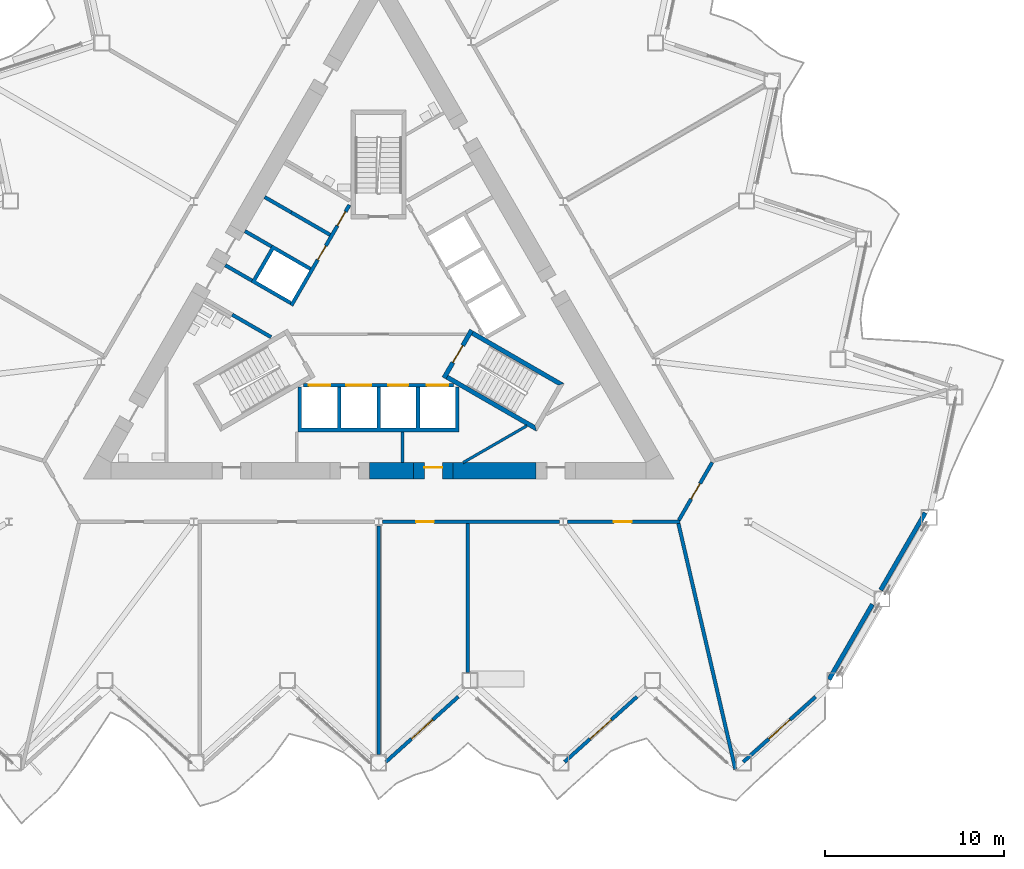
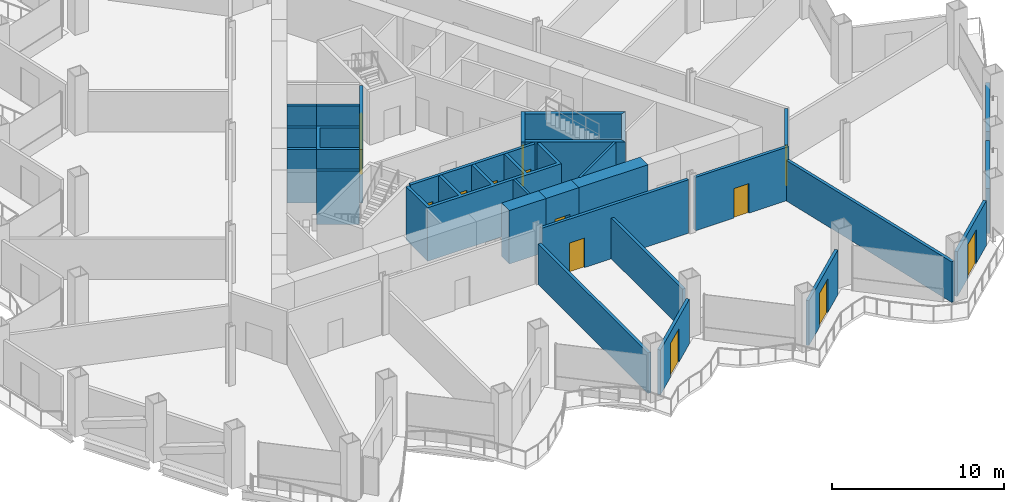
# One storey, part 11 of 21: 28 walls, 14 doors, 14 openings.
"""IFC4 building model written with IfcOpenShell, lengths in metres."""

from ifc_helpers import new_model, si_unit, direction, frame, frame_2d, origin, place, context, subcontext, project, spatial, polyline, rectangle, outline, extrude, material, layer, layer_set, type_object, element, fill, save


model = new_model("IFC4")

# Units and contexts
model_context = context("Model", 3, precision=1e-05, world=origin(), true_north=direction((0.0, 1.0)))
body_context = subcontext(model_context, "Body", "Model", "MODEL_VIEW")
ifc_project = project(units=[si_unit("LENGTHUNIT", "METRE"), si_unit("AREAUNIT", "SQUARE_METRE"), si_unit("VOLUMEUNIT", "CUBIC_METRE"), si_unit("PLANEANGLEUNIT", "RADIAN"), si_unit("MASSUNIT", "GRAM", prefix="KILO")], contexts=[model_context])

# Site, building, storey
site_placement = place(None, origin())
site = spatial("IfcSite", under=ifc_project, at=site_placement, CompositionType="ELEMENT")
building_placement = place(site_placement, origin())
building = spatial("IfcBuilding", under=site, at=building_placement, Name="Cormorant Prow Tower", CompositionType="ELEMENT")
storey_placement = place(building_placement, frame((0.0, 0.0, 108.0)))
storey = spatial("IfcBuildingStorey", under=building, at=storey_placement, Name="L22", CompositionType="ELEMENT", Elevation=108.0)

# Walls
ifc_material_1 = material(Name="Gypsum board partition")
ifc_layer_1 = layer(ifc_material_1, 0.14990234375)
ifc_layer_set_1 = layer_set([ifc_layer_1], Name="Gypsum board partition")
wall_type_1 = type_object("IfcWallType", Name="Core partition 150", PredefinedType="PARTITIONING", material=ifc_layer_set_1)
wall_1_placement = place(storey_placement, frame((1.33251953125, -8.626220703125, 0.0), z_axis=(0.0, 0.0, 1.0), x_axis=(0.0, 1.0, 0.0)))
element("IfcWall", 1, at=wall_1_placement, inside=storey, type_object=wall_type_1, Name="Service room partition", PredefinedType="PARTITIONING", context=body_context, shape_type="SweptSolid", body=[
    extrude(rectangle(XDim=1.72021484375, YDim=0.14990234375, at=frame_2d((0.860107421875, 0.0))), origin(), (0.0, 0.0, 1.0), 3.800048828125),
])
wall_2_placement = place(storey_placement, frame((8.284912109375, -6.566162109375, 0.0), z_axis=(0.0, 0.0, 1.0), x_axis=(-0.866039554287, -0.49997548981, 0.0)))
element("IfcWall", 2, at=wall_2_placement, inside=storey, type_object=wall_type_1, Name="Service room partition", PredefinedType="PARTITIONING", context=body_context, shape_type="SweptSolid", body=[
    extrude(rectangle(XDim=4.120361328125, YDim=0.14990234375, at=frame_2d((2.06005859375, 0.0))), origin(), (0.0, 0.0, 1.0), 3.800048828125),
])
ifc_material_2 = material(Name="Concrete 8000 psi", Category="concrete")
ifc_layer_2 = layer(ifc_material_2, 0.89990234375)
ifc_layer_set_2 = layer_set([ifc_layer_2], Name="Concrete 8000 psi")
wall_type_2 = type_object("IfcWallType", Name="Core shear wall 900", PredefinedType="SHEAR", material=ifc_layer_set_2)
wall_3_placement = place(storey_placement, frame((4.162109375, -9.076416015625, 0.0), z_axis=(0.0, 0.0, 1.0), x_axis=(1.0, 0.0, 0.0)))
element("IfcWall", 3, at=wall_3_placement, inside=storey, type_object=wall_type_2, Name="Core wall", PredefinedType="SHEAR", context=body_context, shape_type="SweptSolid", body=[
    extrude(rectangle(XDim=4.641845703125, YDim=0.89990234375, at=frame_2d((2.32080078125, 0.0))), origin(), (0.0, 0.0, 1.0), 3.800048828125),
])
wall_4_placement = place(storey_placement, frame((-0.521240234375, -9.076416015625, 0.0), z_axis=(0.0, 0.0, 1.0), x_axis=(1.0, 0.0, 0.0)))
element("IfcWall", 4, at=wall_4_placement, inside=storey, type_object=wall_type_2, Name="Core wall", PredefinedType="SHEAR", context=body_context, shape_type="SweptSolid", body=[
    extrude(rectangle(XDim=2.483154296875, YDim=0.89990234375, at=frame_2d((1.24169921875, 0.0))), origin(), (0.0, 0.0, 1.0), 3.800048828125),
])

# Wall, opening, door
wall_5_placement = place(storey_placement, frame((1.9619140625, -9.076416015625, 0.0), z_axis=(0.0, 0.0, 1.0), x_axis=(1.0, 0.0, 0.0)))
wall_5 = element("IfcWall", 5, at=wall_5_placement, inside=storey, type_object=wall_type_2, Name="Core wall door panel", PredefinedType="SHEAR", context=body_context, shape_type="SweptSolid", body=[
    extrude(rectangle(XDim=2.2001953125, YDim=0.89990234375, at=frame_2d((1.10009765625, 0.0))), origin(), (0.0, 0.0, 1.0), 3.800048828125),
])
opening_1_placement = place(wall_5_placement, frame((0.60009765625, 0.0, 0.0)))
opening_1 = element("IfcOpeningElement", 6, at=opening_1_placement, cuts=wall_5, Name="Opening L22-C17", PredefinedType="OPENING", context=body_context, shape_type="SweptSolid", body=[
    extrude(rectangle(XDim=1.0, YDim=2.10009765625, at=frame_2d((0.5, 1.050048828125))), frame((0.0, 0.4599609375, 0.0), z_axis=(0.0, -1.0, 0.0), x_axis=(1.0, 0.0, 0.0)), (0.0, 0.0, 1.0), 0.919921875),
])
ifc_material_3 = material(Name="Painted steel", Category="steel")
door_type_1 = type_object("IfcDoorType", Name="Service door 1000x2100", OperationType="NOTDEFINED", PredefinedType="DOOR", material=ifc_material_3)
door_1_placement = place(opening_1_placement, origin())
door_1 = element("IfcDoor", 7, at=door_1_placement, inside=storey, type_object=door_type_1, Name="Core door, Electrical room", OperationType="SINGLE_SWING_LEFT", OverallHeight=2.10009765625, OverallWidth=1.0, PredefinedType="DOOR", context=body_context, shape_type="SweptSolid", body=[
    extrude(rectangle(XDim=1.0, YDim=2.10009765625, at=frame_2d((0.5, 1.050048828125))), frame((0.0, 0.205078125, 0.0), z_axis=(0.0, -1.0, 0.0), x_axis=(1.0, 0.0, 0.0)), (0.0, 0.0, 1.0), 0.050048828125),
])
fill(opening_1, door_1)

ifc_material_4 = material(Name="Gypsum board corridor wall")
ifc_layer_3 = layer(ifc_material_4, 0.199951171875)
ifc_layer_set_3 = layer_set([ifc_layer_3], Name="Gypsum board corridor wall")
wall_type_3 = type_object("IfcWallType", Name="Corridor wall 200", PredefinedType="PARTITIONING", material=ifc_layer_set_3)
wall_6_placement = place(storey_placement, frame((0.227294921875, -11.92626953125, 0.0), z_axis=(0.0, 0.0, 1.0), x_axis=(1.0, 0.0, 0.0)))
wall_6 = element("IfcWall", 8, at=wall_6_placement, inside=storey, type_object=wall_type_3, Name="Corridor wall", PredefinedType="PARTITIONING", context=body_context, shape_type="SweptSolid", body=[
    extrude(rectangle(XDim=9.873779296875, YDim=0.199951171875, at=frame_2d((4.93701171875, 0.0))), origin(), (0.0, 0.0, 1.0), 3.800048828125),
])
opening_2_placement = place(wall_6_placement, frame((1.8642578125, 0.0, 0.0)))
opening_2 = element("IfcOpeningElement", 9, at=opening_2_placement, cuts=wall_6, Name="Opening L22-F03", PredefinedType="OPENING", context=body_context, shape_type="SweptSolid", body=[
    extrude(rectangle(XDim=1.0, YDim=2.10009765625, at=frame_2d((0.5, 1.050048828125))), frame((0.0, 0.10986328125, 0.0), z_axis=(0.0, -1.0, 0.0), x_axis=(1.0, 0.0, 0.0)), (0.0, 0.0, 1.0), 0.219970703125),
])
ifc_material_5 = material(Name="Timber door leaf", Category="wood")
door_type_2 = type_object("IfcDoorType", Name="Office door 1000x2100", OperationType="NOTDEFINED", PredefinedType="DOOR", material=ifc_material_5)
door_2_placement = place(opening_2_placement, origin())
door_2 = element("IfcDoor", 10, at=door_2_placement, inside=storey, type_object=door_type_2, Name="Private office door", OperationType="SINGLE_SWING_LEFT", OverallHeight=2.10009765625, OverallWidth=1.0, PredefinedType="DOOR", context=body_context, shape_type="SweptSolid", body=[
    extrude(rectangle(XDim=1.0, YDim=2.10009765625, at=frame_2d((0.5, 1.050048828125))), frame((0.0, 0.02490234375, 0.0), z_axis=(0.0, -1.0, 0.0), x_axis=(1.0, 0.0, 0.0)), (0.0, 0.0, 1.0), 0.050048828125),
])
fill(opening_2, door_2)

wall_7_placement = place(storey_placement, frame((10.555908203125, -11.92626953125, 0.0), z_axis=(0.0, 0.0, 1.0), x_axis=(1.0, 0.0, 0.0)))
wall_7 = element("IfcWall", 11, at=wall_7_placement, inside=storey, type_object=wall_type_3, Name="Corridor wall", PredefinedType="PARTITIONING", context=body_context, shape_type="SweptSolid", body=[
    extrude(rectangle(XDim=6.27490234375, YDim=0.199951171875, at=frame_2d((3.137451171875, 0.0))), origin(), (0.0, 0.0, 1.0), 3.800048828125),
])
opening_3_placement = place(wall_7_placement, frame((2.586669921875, 0.0, 0.0)))
opening_3 = element("IfcOpeningElement", 12, at=opening_3_placement, cuts=wall_7, Name="Opening L22-F04", PredefinedType="OPENING", context=body_context, shape_type="SweptSolid", body=[
    extrude(rectangle(XDim=1.0, YDim=2.10009765625, at=frame_2d((0.5, 1.050048828125))), frame((0.0, 0.10986328125, 0.0), z_axis=(0.0, -1.0, 0.0), x_axis=(1.0, 0.0, 0.0)), (0.0, 0.0, 1.0), 0.219970703125),
])
door_3_placement = place(opening_3_placement, origin())
door_3 = element("IfcDoor", 13, at=door_3_placement, inside=storey, type_object=door_type_2, Name="Tenant reception door", OperationType="SINGLE_SWING_RIGHT", OverallHeight=2.10009765625, OverallWidth=1.0, PredefinedType="DOOR", context=body_context, shape_type="SweptSolid", body=[
    extrude(rectangle(XDim=1.0, YDim=2.10009765625, at=frame_2d((0.5, 1.050048828125))), frame((0.0, 0.02490234375, 0.0), z_axis=(0.0, -1.0, 0.0), x_axis=(1.0, 0.0, 0.0)), (0.0, 0.0, 1.0), 0.050048828125),
])
fill(opening_3, door_3)

wall_8_placement = place(storey_placement, frame((16.781005859375, -11.839599609375, 0.0), z_axis=(0.0, 0.0, 1.0), x_axis=(0.499958791762, 0.866049194065, 0.0)))
wall_8 = element("IfcWall", 14, at=wall_8_placement, inside=storey, type_object=wall_type_3, Name="Corridor wall", PredefinedType="PARTITIONING", context=body_context, shape_type="SweptSolid", body=[
    extrude(rectangle(XDim=3.725830078125, YDim=0.199951171875, at=frame_2d((1.86279296875, 0.0))), origin(), (0.0, 0.0, 1.0), 3.800048828125),
])
opening_4_placement = place(wall_8_placement, frame((1.363037109375, 0.0, 0.0)))
opening_4 = element("IfcOpeningElement", 15, at=opening_4_placement, cuts=wall_8, Name="Opening L22-F05", PredefinedType="OPENING", context=body_context, shape_type="SweptSolid", body=[
    extrude(rectangle(XDim=1.0, YDim=2.10009765625, at=frame_2d((0.5, 1.050048828125))), frame((0.0, 0.10986328125, 0.0), z_axis=(0.0, -1.0, 0.0), x_axis=(1.0, 0.0, 0.0)), (0.0, 0.0, 1.0), 0.219970703125),
])
door_4_placement = place(opening_4_placement, origin())
door_4 = element("IfcDoor", 16, at=door_4_placement, inside=storey, type_object=door_type_2, Name="Tenant suite door", OperationType="SINGLE_SWING_RIGHT", OverallHeight=2.10009765625, OverallWidth=1.0, PredefinedType="DOOR", context=body_context, shape_type="SweptSolid", body=[
    extrude(rectangle(XDim=1.0, YDim=2.10009765625, at=frame_2d((0.5, 1.050048828125))), frame((0.0, 0.02490234375, 0.0), z_axis=(0.0, -1.0, 0.0), x_axis=(1.0, 0.0, 0.0)), (0.0, 0.0, 1.0), 0.050048828125),
])
fill(opening_4, door_4)

# Walls
ifc_material_6 = material(Name="Gypsum board demising wall")
ifc_layer_4 = layer(ifc_material_6, 0.199951171875)
ifc_layer_set_4 = layer_set([ifc_layer_4], Name="Gypsum board demising wall")
wall_type_4 = type_object("IfcWallType", Name="Demising wall 200", PredefinedType="PARTITIONING", material=ifc_layer_set_4)
wall_9_placement = place(storey_placement, frame((16.75341796875, -12.023681640625, 0.0), z_axis=(0.0, 0.0, 1.0), x_axis=(0.225854066841, -0.974161147086, 0.0)))
element("IfcWall", 17, at=wall_9_placement, inside=storey, type_object=wall_type_4, Name="Demising wall", PredefinedType="PARTITIONING", context=body_context, shape_type="SweptSolid", body=[
    extrude(rectangle(XDim=14.107666015625, YDim=0.199951171875, at=frame_2d((7.0537109375, 0.0))), origin(), (0.0, 0.0, 1.0), 2.88525390625),
])
wall_10_placement = place(storey_placement, frame((0.0, -24.939208984375, 0.0), z_axis=(0.0, 0.0, 1.0), x_axis=(0.0, 1.0, 0.0)))
element("IfcWall", 18, at=wall_10_placement, inside=storey, type_object=wall_type_4, Name="Demising wall", PredefinedType="PARTITIONING", context=body_context, shape_type="SweptSolid", body=[
    extrude(rectangle(XDim=12.785400390625, YDim=0.199951171875, at=frame_2d((6.392578125, 0.0))), origin(), (0.0, 0.0, 1.0), 2.88525390625),
])
wall_11_placement = place(storey_placement, frame((4.99267578125, -20.34716796875, 0.0), z_axis=(0.0, 0.0, 1.0), x_axis=(0.0, 1.0, 0.0)))
element("IfcWall", 19, at=wall_11_placement, inside=storey, type_object=wall_type_4, Name="Demising wall", PredefinedType="PARTITIONING", context=body_context, shape_type="SweptSolid", body=[
    extrude(rectangle(XDim=8.32080078125, YDim=0.199951171875, at=frame_2d((4.160400390625, 0.0))), origin(), (0.0, 0.0, 1.0), 2.88525390625),
])

# Wall, openings, doors
ifc_material_7 = material(Name="Concrete 5000 psi", Category="concrete")
ifc_layer_5 = layer(ifc_material_7, 0.199951171875)
ifc_layer_set_5 = layer_set([ifc_layer_5], Name="Concrete 5000 psi")
wall_type_5 = type_object("IfcWallType", Name="Lift lobby wall 200", PredefinedType="SOLIDWALL", material=ifc_layer_set_5)
wall_12_placement = place(storey_placement, frame((-4.1865234375, -4.300048828125, 0.0), z_axis=(0.0, 0.0, 1.0), x_axis=(1.0, 0.0, 0.0)))
wall_12 = element("IfcWall", 20, at=wall_12_placement, inside=storey, type_object=wall_type_5, Name="Lift lobby wall, S block", PredefinedType="SOLIDWALL", context=body_context, shape_type="SweptSolid", body=[
    extrude(rectangle(XDim=8.373046875, YDim=0.199951171875, at=frame_2d((4.1865234375, 0.0))), origin(), (0.0, 0.0, 1.0), 3.800048828125),
])
opening_5_placement = place(wall_12_placement, frame((0.28662109375, 0.0, 0.0)))
opening_5 = element("IfcOpeningElement", 21, at=opening_5_placement, cuts=wall_12, Name="Opening L22-C01", PredefinedType="OPENING", context=body_context, shape_type="SweptSolid", body=[
    extrude(rectangle(XDim=1.199951171875, YDim=2.10009765625, at=frame_2d((0.60009765625, 1.050048828125))), frame((0.0, 0.10986328125, 0.0), z_axis=(0.0, -1.0, 0.0), x_axis=(1.0, 0.0, 0.0)), (0.0, 0.0, 1.0), 0.219970703125),
])
opening_6_placement = place(wall_12_placement, frame((2.38671875, 0.0, 0.0)))
opening_6 = element("IfcOpeningElement", 22, at=opening_6_placement, cuts=wall_12, Name="Opening L22-C02", PredefinedType="OPENING", context=body_context, shape_type="SweptSolid", body=[
    extrude(rectangle(XDim=1.39990234375, YDim=2.10009765625, at=frame_2d((0.699951171875, 1.050048828125))), frame((0.0, 0.10986328125, 0.0), z_axis=(0.0, -1.0, 0.0), x_axis=(1.0, 0.0, 0.0)), (0.0, 0.0, 1.0), 0.219970703125),
])
opening_7_placement = place(wall_12_placement, frame((4.736572265625, 0.0, 0.0)))
opening_7 = element("IfcOpeningElement", 23, at=opening_7_placement, cuts=wall_12, Name="Opening L22-C03", PredefinedType="OPENING", context=body_context, shape_type="SweptSolid", body=[
    extrude(rectangle(XDim=1.10009765625, YDim=2.10009765625, at=frame_2d((0.550048828125, 1.050048828125))), frame((0.0, 0.10986328125, 0.0), z_axis=(0.0, -1.0, 0.0), x_axis=(1.0, 0.0, 0.0)), (0.0, 0.0, 1.0), 0.219970703125),
])
opening_8_placement = place(wall_12_placement, frame((6.88671875, 0.0, 0.0)))
opening_8 = element("IfcOpeningElement", 24, at=opening_8_placement, cuts=wall_12, Name="Opening L22-C04", PredefinedType="OPENING", context=body_context, shape_type="SweptSolid", body=[
    extrude(rectangle(XDim=1.199951171875, YDim=2.10009765625, at=frame_2d((0.60009765625, 1.050048828125))), frame((0.0, 0.10986328125, 0.0), z_axis=(0.0, -1.0, 0.0), x_axis=(1.0, 0.0, 0.0)), (0.0, 0.0, 1.0), 0.219970703125),
])
ifc_material_8 = material(Name="Painted steel", Category="steel")
door_type_3 = type_object("IfcDoorType", Name="Firefighting lift landing door 1200x2100", OperationType="SLIDING_TO_LEFT", PredefinedType="DOOR", material=ifc_material_8)
door_5_placement = place(opening_5_placement, origin())
door_5 = element("IfcDoor", 25, at=door_5_placement, inside=storey, type_object=door_type_3, Name="Landing door FL1", OperationType="SLIDING_TO_LEFT", OverallHeight=2.10009765625, OverallWidth=1.199951171875, PredefinedType="DOOR", context=body_context, shape_type="SweptSolid", body=[
    extrude(rectangle(XDim=1.199951171875, YDim=2.10009765625, at=frame_2d((0.60009765625, 1.050048828125))), frame((0.0, 0.02490234375, 0.0), z_axis=(0.0, -1.0, 0.0), x_axis=(1.0, 0.0, 0.0)), (0.0, 0.0, 1.0), 0.050048828125),
])
fill(opening_5, door_5)
door_6_placement = place(opening_8_placement, origin())
door_6 = element("IfcDoor", 26, at=door_6_placement, inside=storey, type_object=door_type_3, Name="Landing door FL2", OperationType="SLIDING_TO_LEFT", OverallHeight=2.10009765625, OverallWidth=1.199951171875, PredefinedType="DOOR", context=body_context, shape_type="SweptSolid", body=[
    extrude(rectangle(XDim=1.199951171875, YDim=2.10009765625, at=frame_2d((0.60009765625, 1.050048828125))), frame((0.0, 0.02490234375, 0.0), z_axis=(0.0, -1.0, 0.0), x_axis=(1.0, 0.0, 0.0)), (0.0, 0.0, 1.0), 0.050048828125),
])
fill(opening_8, door_6)
ifc_material_9 = material(Name="Painted steel", Category="steel")
door_type_4 = type_object("IfcDoorType", Name="Lift landing door 1100x2100", OperationType="SLIDING_TO_LEFT", PredefinedType="DOOR", material=ifc_material_9)
door_7_placement = place(opening_7_placement, origin())
door_7 = element("IfcDoor", 27, at=door_7_placement, inside=storey, type_object=door_type_4, Name="Landing door LR1", OperationType="SLIDING_TO_LEFT", OverallHeight=2.10009765625, OverallWidth=1.10009765625, PredefinedType="DOOR", context=body_context, shape_type="SweptSolid", body=[
    extrude(rectangle(XDim=1.10009765625, YDim=2.10009765625, at=frame_2d((0.550048828125, 1.050048828125))), frame((0.0, 0.02490234375, 0.0), z_axis=(0.0, -1.0, 0.0), x_axis=(1.0, 0.0, 0.0)), (0.0, 0.0, 1.0), 0.050048828125),
])
fill(opening_7, door_7)
ifc_material_10 = material(Name="Painted steel", Category="steel")
door_type_5 = type_object("IfcDoorType", Name="Service lift landing door 1400x2100", OperationType="SLIDING_TO_LEFT", PredefinedType="DOOR", material=ifc_material_10)
door_8_placement = place(opening_6_placement, origin())
door_8 = element("IfcDoor", 28, at=door_8_placement, inside=storey, type_object=door_type_5, Name="Landing door SL1", OperationType="SLIDING_TO_LEFT", OverallHeight=2.10009765625, OverallWidth=1.39990234375, PredefinedType="DOOR", context=body_context, shape_type="SweptSolid", body=[
    extrude(rectangle(XDim=1.39990234375, YDim=2.10009765625, at=frame_2d((0.699951171875, 1.050048828125))), frame((0.0, 0.02490234375, 0.0), z_axis=(0.0, -1.0, 0.0), x_axis=(1.0, 0.0, 0.0)), (0.0, 0.0, 1.0), 0.050048828125),
])
fill(opening_6, door_8)

wall_13_placement = place(storey_placement, frame((-1.630615234375, 5.775634765625, 0.0), z_axis=(0.0, 0.0, 1.0), x_axis=(-0.499992876559, -0.866029516466, 0.0)))
wall_13 = element("IfcWall", 29, at=wall_13_placement, inside=storey, type_object=wall_type_5, Name="Lift lobby wall, WNW block", PredefinedType="SOLIDWALL", context=body_context, shape_type="SweptSolid", body=[
    extrude(rectangle(XDim=6.486328125, YDim=0.199951171875, at=frame_2d((3.2431640625, 0.0))), origin(), (0.0, 0.0, 1.0), 3.800048828125),
])
opening_9_placement = place(wall_13_placement, frame((0.4365234375, 0.0, 0.0)))
opening_9 = element("IfcOpeningElement", 30, at=opening_9_placement, cuts=wall_13, Name="Opening L22-C09", PredefinedType="OPENING", context=body_context, shape_type="SweptSolid", body=[
    extrude(rectangle(XDim=0.89990234375, YDim=2.10009765625, at=frame_2d((0.449951171875, 1.050048828125))), frame((0.0, 0.10986328125, 0.0), z_axis=(0.0, -1.0, 0.0), x_axis=(1.0, 0.0, 0.0)), (0.0, 0.0, 1.0), 0.219970703125),
])
opening_10_placement = place(wall_13_placement, frame((2.63671875, 0.0, 0.0)))
opening_10 = element("IfcOpeningElement", 31, at=opening_10_placement, cuts=wall_13, Name="Opening L22-C10", PredefinedType="OPENING", context=body_context, shape_type="SweptSolid", body=[
    extrude(rectangle(XDim=0.89990234375, YDim=2.10009765625, at=frame_2d((0.449951171875, 1.050048828125))), frame((0.0, 0.10986328125, 0.0), z_axis=(0.0, -1.0, 0.0), x_axis=(1.0, 0.0, 0.0)), (0.0, 0.0, 1.0), 0.219970703125),
])
ifc_material_11 = material(Name="Painted steel", Category="steel")
door_type_6 = type_object("IfcDoorType", Name="Service door 900x2100", OperationType="NOTDEFINED", PredefinedType="DOOR", material=ifc_material_11)
door_9_placement = place(opening_9_placement, origin())
door_9 = element("IfcDoor", 32, at=door_9_placement, inside=storey, type_object=door_type_6, Name="Service door, Telecom room", OperationType="SINGLE_SWING_LEFT", OverallHeight=2.10009765625, OverallWidth=0.89990234375, PredefinedType="DOOR", context=body_context, shape_type="SweptSolid", body=[
    extrude(rectangle(XDim=0.89990234375, YDim=2.10009765625, at=frame_2d((0.449951171875, 1.050048828125))), frame((0.0, 0.02490234375, 0.0), z_axis=(0.0, -1.0, 0.0), x_axis=(1.0, 0.0, 0.0)), (0.0, 0.0, 1.0), 0.050048828125),
])
fill(opening_9, door_9)
door_10_placement = place(opening_10_placement, origin())
door_10 = element("IfcDoor", 33, at=door_10_placement, inside=storey, type_object=door_type_6, Name="Service door, Housekeeping store", OperationType="SINGLE_SWING_RIGHT", OverallHeight=2.10009765625, OverallWidth=0.89990234375, PredefinedType="DOOR", context=body_context, shape_type="SweptSolid", body=[
    extrude(rectangle(XDim=0.89990234375, YDim=2.10009765625, at=frame_2d((0.449951171875, 1.050048828125))), frame((0.0, 0.02490234375, 0.0), z_axis=(0.0, -1.0, 0.0), x_axis=(1.0, 0.0, 0.0)), (0.0, 0.0, 1.0), 0.050048828125),
])
fill(opening_10, door_10)

# Walls
ifc_material_12 = material(Name="Concrete 8000 psi", Category="concrete")
ifc_layer_6 = layer(ifc_material_12, 0.199951171875)
ifc_layer_set_6 = layer_set([ifc_layer_6], Name="Concrete 8000 psi")
wall_type_6 = type_object("IfcWallType", Name="Lift shaft wall 200", PredefinedType="SHEAR", material=ifc_layer_set_6)
wall_14_placement = place(storey_placement, origin())
element("IfcWall", 34, at=wall_14_placement, inside=storey, type_object=wall_type_6, Name="Lift shaft walls, S block", PredefinedType="SHEAR", context=body_context, shape_type="SweptSolid", body=[
    extrude(outline(polyline([(4.5, -4.39990234375), (4.5, -6.906005859375), (-4.5, -6.906005859375), (-4.5, -4.39990234375), (-4.300048828125, -4.39990234375), (-4.300048828125, -6.699951171875), (-2.300048828125, -6.699951171875), (-2.300048828125, -4.39990234375), (-2.10009765625, -4.39990234375), (-2.10009765625, -6.699951171875), (-0.10009765625, -6.699951171875), (-0.10009765625, -4.39990234375), (0.10009765625, -4.39990234375), (0.10009765625, -6.699951171875), (2.10009765625, -6.699951171875), (2.10009765625, -4.39990234375), (2.300048828125, -4.39990234375), (2.300048828125, -6.699951171875), (4.300048828125, -6.699951171875), (4.300048828125, -4.39990234375), (4.5, -4.39990234375)])), origin(), (0.0, 0.0, 1.0), 3.800048828125),
])
wall_15_placement = place(storey_placement, origin())
element("IfcWall", 35, at=wall_15_placement, inside=storey, type_object=wall_type_6, Name="Lift shaft walls, WNW block", PredefinedType="SHEAR", context=body_context, shape_type="SweptSolid", body=[
    extrude(outline(polyline([(-6.060546875, -1.697021484375), (-8.230712890625, -0.444091796875), (-8.130859375, -0.27099609375), (-5.96044921875, -1.52392578125), (-6.060546875, -1.697021484375)])), origin(), (0.0, 0.0, 1.0), 3.800048828125),
])
wall_16_placement = place(storey_placement, origin())
element("IfcWall", 36, at=wall_16_placement, inside=storey, type_object=wall_type_6, Name="Lift shaft walls, WNW block", PredefinedType="SHEAR", context=body_context, shape_type="SweptSolid", body=[
    extrude(outline(polyline([(-4.96044921875, 0.2080078125), (-7.130859375, 1.461181640625), (-5.930908203125, 3.53955078125), (-3.760498046875, 2.28662109375), (-3.860595703125, 2.11328125), (-5.852294921875, 3.263427734375), (-6.852294921875, 1.53125), (-4.860595703125, 0.38134765625), (-4.96044921875, 0.2080078125)])), origin(), (0.0, 0.0, 1.0), 3.800048828125),
])
wall_17_placement = place(storey_placement, origin())
element("IfcWall", 37, at=wall_17_placement, inside=storey, type_object=wall_type_6, Name="Lift shaft walls, WNW block", PredefinedType="SHEAR", context=body_context, shape_type="SweptSolid", body=[
    extrude(outline(polyline([(-2.760498046875, 4.018798828125), (-4.930908203125, 5.271728515625), (-4.830810546875, 5.44482421875), (-2.660400390625, 4.19189453125), (-2.760498046875, 4.018798828125)])), origin(), (0.0, 0.0, 1.0), 3.800048828125),
])
wall_18_placement = place(storey_placement, frame((-4.880859375, 5.3583984375, 0.0), z_axis=(0.0, 0.0, 1.0), x_axis=(-0.866024871741, 0.500000921525, 0.0)))
element("IfcWall", 38, at=wall_18_placement, inside=storey, type_object=wall_type_6, Name="Store side wall", PredefinedType="SHEAR", context=body_context, shape_type="SweptSolid", body=[
    extrude(rectangle(XDim=1.72021484375, YDim=0.199951171875, at=frame_2d((0.860107421875, 0.0))), origin(), (0.0, 0.0, 1.0), 3.800048828125),
])
wall_19_placement = place(storey_placement, frame((-5.980712890625, 3.452880859375, 0.0), z_axis=(0.0, 0.0, 1.0), x_axis=(-0.866060346521, 0.499939472521, 0.0)))
element("IfcWall", 39, at=wall_19_placement, inside=storey, type_object=wall_type_6, Name="Store side wall", PredefinedType="SHEAR", context=body_context, shape_type="SweptSolid", body=[
    extrude(rectangle(XDim=1.720458984375, YDim=0.199951171875, at=frame_2d((0.8603515625, 0.0))), origin(), (0.0, 0.0, 1.0), 3.800048828125),
])
wall_20_placement = place(storey_placement, frame((-7.080810546875, 1.547607421875, 0.0), z_axis=(0.0, 0.0, 1.0), x_axis=(-0.865963414263, 0.500107353632, 0.0)))
element("IfcWall", 40, at=wall_20_placement, inside=storey, type_object=wall_type_6, Name="Lobby passage wall", PredefinedType="SHEAR", context=body_context, shape_type="SweptSolid", body=[
    extrude(rectangle(XDim=1.72021484375, YDim=0.199951171875, at=frame_2d((0.860107421875, 0.0))), origin(), (0.0, 0.0, 1.0), 3.800048828125),
])
ifc_material_13 = material(Name="Concrete 8000 psi", Category="concrete")
ifc_layer_7 = layer(ifc_material_13, 0.25)
ifc_layer_set_7 = layer_set([ifc_layer_7], Name="Concrete 8000 psi")
wall_type_7 = type_object("IfcWallType", Name="Stair wall 250", PredefinedType="SHEAR", material=ifc_layer_set_7)
wall_21_placement = place(storey_placement, origin())
element("IfcWall", 41, at=wall_21_placement, inside=storey, type_object=wall_type_7, Name="Stair ST2 enclosure wall (flank)", PredefinedType="SHEAR", context=body_context, shape_type="SweptSolid", body=[
    extrude(outline(polyline([(3.76318359375, -3.95556640625), (8.82958984375, -6.880615234375), (8.738037109375, -6.5390625), (3.88818359375, -3.739013671875), (3.76318359375, -3.95556640625)])), origin(), (0.0, 0.0, 1.0), 3.800048828125),
])
wall_22_placement = place(storey_placement, origin())
element("IfcWall", 42, at=wall_22_placement, inside=storey, type_object=wall_type_7, Name="Stair ST2 enclosure wall (flank)", PredefinedType="SHEAR", context=body_context, shape_type="SweptSolid", body=[
    extrude(outline(polyline([(10.031982421875, -4.2978515625), (10.37353515625, -4.206298828125), (5.30712890625, -1.28125), (5.18212890625, -1.497802734375), (10.031982421875, -4.2978515625)])), origin(), (0.0, 0.0, 1.0), 3.800048828125),
])

# Wall, opening, door
wall_23_placement = place(storey_placement, frame((3.655029296875, -3.89306640625, 0.0), z_axis=(0.0, 0.0, 1.0), x_axis=(0.499982516597, 0.866035497597, 0.0)))
wall_23 = element("IfcWall", 43, at=wall_23_placement, inside=storey, type_object=wall_type_7, Name="Stair ST2 door wall", PredefinedType="SHEAR", context=body_context, shape_type="SweptSolid", body=[
    extrude(rectangle(XDim=3.087890625, YDim=0.25, at=frame_2d((1.5439453125, 0.0))), origin(), (0.0, 0.0, 1.0), 3.800048828125),
])
opening_11_placement = place(wall_23_placement, frame((0.993896484375, 0.0, 0.0)))
opening_11 = element("IfcOpeningElement", 44, at=opening_11_placement, cuts=wall_23, Name="Opening L22-C13", PredefinedType="OPENING", context=body_context, shape_type="SweptSolid", body=[
    extrude(rectangle(XDim=1.10009765625, YDim=2.10009765625, at=frame_2d((0.550048828125, 1.050048828125))), frame((0.0, 0.135009765625, 0.0), z_axis=(0.0, -1.0, 0.0), x_axis=(1.0, 0.0, 0.0)), (0.0, 0.0, 1.0), 0.27001953125),
])
ifc_material_14 = material(Name="Painted steel", Category="steel")
door_type_7 = type_object("IfcDoorType", Name="Stair door 1100x2100", OperationType="NOTDEFINED", PredefinedType="DOOR", material=ifc_material_14)
door_11_placement = place(opening_11_placement, origin())
door_11 = element("IfcDoor", 45, at=door_11_placement, inside=storey, type_object=door_type_7, Name="Stair ST2 door", OperationType="SINGLE_SWING_RIGHT", OverallHeight=2.10009765625, OverallWidth=1.10009765625, PredefinedType="DOOR", context=body_context, shape_type="SweptSolid", body=[
    extrude(rectangle(XDim=1.10009765625, YDim=2.10009765625, at=frame_2d((0.550048828125, 1.050048828125))), frame((0.0, 0.02490234375, 0.0), z_axis=(0.0, -1.0, 0.0), x_axis=(1.0, 0.0, 0.0)), (0.0, 0.0, 1.0), 0.050048828125),
])
fill(opening_11, door_11)

# Walls
ifc_material_15 = material(Name="Terracotta", Category="masonry")
ifc_layer_8 = layer(ifc_material_15, 0.25)
ifc_layer_set_8 = layer_set([ifc_layer_8], Name="Terracotta")
wall_type_8 = type_object("IfcWallType", Name="Terracotta bay wall 250", PredefinedType="SOLIDWALL", material=ifc_layer_set_8)
wall_24_placement = place(storey_placement, frame((25.173095703125, -20.74169921875, 0.0), z_axis=(0.0, 0.0, 1.0), x_axis=(0.499994084299, 0.866028819189, 0.0)))
element("IfcWall", 46, at=wall_24_placement, inside=storey, type_object=wall_type_8, Name="Terracotta bay wall ESE00", PredefinedType="SOLIDWALL", context=body_context, shape_type="SweptSolid", body=[
    extrude(rectangle(XDim=4.849609375, YDim=0.25, at=frame_2d((2.4248046875, 0.0))), origin(), (0.0, 0.0, 1.0), 3.18896484375),
])
wall_25_placement = place(storey_placement, frame((28.058837890625, -15.743408203125, 0.0), z_axis=(0.0, 0.0, 1.0), x_axis=(0.499992577793, 0.866029688955, 0.0)))
element("IfcWall", 47, at=wall_25_placement, inside=storey, type_object=wall_type_8, Name="Terracotta bay wall ESE01", PredefinedType="SOLIDWALL", context=body_context, shape_type="SweptSolid", body=[
    extrude(rectangle(XDim=4.98095703125, YDim=0.25, at=frame_2d((2.490478515625, 0.0))), origin(), (0.0, 0.0, 1.0), 3.18896484375),
])

# Wall, opening, door
ifc_material_16 = material(Name="Terracotta", Category="masonry")
ifc_layer_9 = layer(ifc_material_16, 0.199951171875)
ifc_layer_set_9 = layer_set([ifc_layer_9], Name="Terracotta")
wall_type_9 = type_object("IfcWallType", Name="Terracotta jamb wall 200", PredefinedType="SOLIDWALL", material=ifc_layer_set_9)
wall_26_placement = place(storey_placement, frame((0.40576171875, -25.3505859375, 0.0), z_axis=(0.0, 0.0, 1.0), x_axis=(0.74314255731, 0.669133125405, 0.0)))
wall_26 = element("IfcWall", 48, at=wall_26_placement, inside=storey, type_object=wall_type_9, Name="Terracotta jamb wall S05", PredefinedType="SOLIDWALL", context=body_context, shape_type="SweptSolid", body=[
    extrude(rectangle(XDim=5.4462890625, YDim=0.199951171875, at=frame_2d((2.72314453125, 0.0))), origin(), (0.0, 0.0, 1.0), 3.18896484375),
])
opening_12_placement = place(wall_26_placement, frame((1.923095703125, 0.0, 0.0)))
opening_12 = element("IfcOpeningElement", 49, at=opening_12_placement, cuts=wall_26, Name="Opening ED22.03", PredefinedType="OPENING", context=body_context, shape_type="SweptSolid", body=[
    extrude(rectangle(XDim=1.60009765625, YDim=2.39990234375, at=frame_2d((0.800048828125, 1.199951171875))), frame((0.0, 0.10986328125, 0.0), z_axis=(0.0, -1.0, 0.0), x_axis=(1.0, 0.0, 0.0)), (0.0, 0.0, 1.0), 0.219970703125),
])
ifc_material_17 = material(Name="Aluminium 6063-T6", Category="aluminium")
door_type_8 = type_object("IfcDoorType", Name="Balcony door 1600x2400", OperationType="DOUBLE_DOOR_SINGLE_SWING", PredefinedType="DOOR", material=ifc_material_17)
door_12_placement = place(opening_12_placement, origin())
door_12 = element("IfcDoor", 50, at=door_12_placement, inside=storey, type_object=door_type_8, Name="Balcony door S05 ED22.03", OperationType="DOUBLE_DOOR_SINGLE_SWING", OverallHeight=2.39990234375, OverallWidth=1.60009765625, PredefinedType="DOOR", context=body_context, shape_type="SweptSolid", body=[
    extrude(rectangle(XDim=1.60009765625, YDim=2.39990234375, at=frame_2d((0.800048828125, 1.199951171875))), frame((0.0, 0.02490234375, 0.0), z_axis=(0.0, -1.0, 0.0), x_axis=(1.0, 0.0, 0.0)), (0.0, 0.0, 1.0), 0.050048828125),
])
fill(opening_12, door_12)

wall_27_placement = place(storey_placement, frame((10.39111328125, -25.3505859375, 0.0), z_axis=(0.0, 0.0, 1.0), x_axis=(0.74314255731, 0.669133125405, 0.0)))
wall_27 = element("IfcWall", 51, at=wall_27_placement, inside=storey, type_object=wall_type_9, Name="Terracotta jamb wall S07", PredefinedType="SOLIDWALL", context=body_context, shape_type="SweptSolid", body=[
    extrude(rectangle(XDim=5.4462890625, YDim=0.199951171875, at=frame_2d((2.72314453125, 0.0))), origin(), (0.0, 0.0, 1.0), 3.18896484375),
])
opening_13_placement = place(wall_27_placement, frame((1.923095703125, 0.0, 0.0)))
opening_13 = element("IfcOpeningElement", 52, at=opening_13_placement, cuts=wall_27, Name="Opening ED22.04", PredefinedType="OPENING", context=body_context, shape_type="SweptSolid", body=[
    extrude(rectangle(XDim=1.60009765625, YDim=2.39990234375, at=frame_2d((0.800048828125, 1.199951171875))), frame((0.0, 0.10986328125, 0.0), z_axis=(0.0, -1.0, 0.0), x_axis=(1.0, 0.0, 0.0)), (0.0, 0.0, 1.0), 0.219970703125),
])
door_13_placement = place(opening_13_placement, origin())
door_13 = element("IfcDoor", 53, at=door_13_placement, inside=storey, type_object=door_type_8, Name="Balcony door S07 ED22.04", OperationType="DOUBLE_DOOR_SINGLE_SWING", OverallHeight=2.39990234375, OverallWidth=1.60009765625, PredefinedType="DOOR", context=body_context, shape_type="SweptSolid", body=[
    extrude(rectangle(XDim=1.60009765625, YDim=2.39990234375, at=frame_2d((0.800048828125, 1.199951171875))), frame((0.0, 0.02490234375, 0.0), z_axis=(0.0, -1.0, 0.0), x_axis=(1.0, 0.0, 0.0)), (0.0, 0.0, 1.0), 0.050048828125),
])
fill(opening_13, door_13)

wall_28_placement = place(storey_placement, frame((20.37646484375, -25.3505859375, 0.0), z_axis=(0.0, 0.0, 1.0), x_axis=(0.74314255731, 0.669133125405, 0.0)))
wall_28 = element("IfcWall", 54, at=wall_28_placement, inside=storey, type_object=wall_type_9, Name="Terracotta jamb wall S09", PredefinedType="SOLIDWALL", context=body_context, shape_type="SweptSolid", body=[
    extrude(rectangle(XDim=5.4462890625, YDim=0.199951171875, at=frame_2d((2.72314453125, 0.0))), origin(), (0.0, 0.0, 1.0), 3.18896484375),
])
opening_14_placement = place(wall_28_placement, frame((1.923095703125, 0.0, 0.0)))
opening_14 = element("IfcOpeningElement", 55, at=opening_14_placement, cuts=wall_28, Name="Opening ED22.05", PredefinedType="OPENING", context=body_context, shape_type="SweptSolid", body=[
    extrude(rectangle(XDim=1.60009765625, YDim=2.39990234375, at=frame_2d((0.800048828125, 1.199951171875))), frame((0.0, 0.10986328125, 0.0), z_axis=(0.0, -1.0, 0.0), x_axis=(1.0, 0.0, 0.0)), (0.0, 0.0, 1.0), 0.219970703125),
])
door_14_placement = place(opening_14_placement, origin())
door_14 = element("IfcDoor", 56, at=door_14_placement, inside=storey, type_object=door_type_8, Name="Balcony door S09 ED22.05", OperationType="DOUBLE_DOOR_SINGLE_SWING", OverallHeight=2.39990234375, OverallWidth=1.60009765625, PredefinedType="DOOR", context=body_context, shape_type="SweptSolid", body=[
    extrude(rectangle(XDim=1.60009765625, YDim=2.39990234375, at=frame_2d((0.800048828125, 1.199951171875))), frame((0.0, 0.02490234375, 0.0), z_axis=(0.0, -1.0, 0.0), x_axis=(1.0, 0.0, 0.0)), (0.0, 0.0, 1.0), 0.050048828125),
])
fill(opening_14, door_14)

save(model, "model.ifc")
